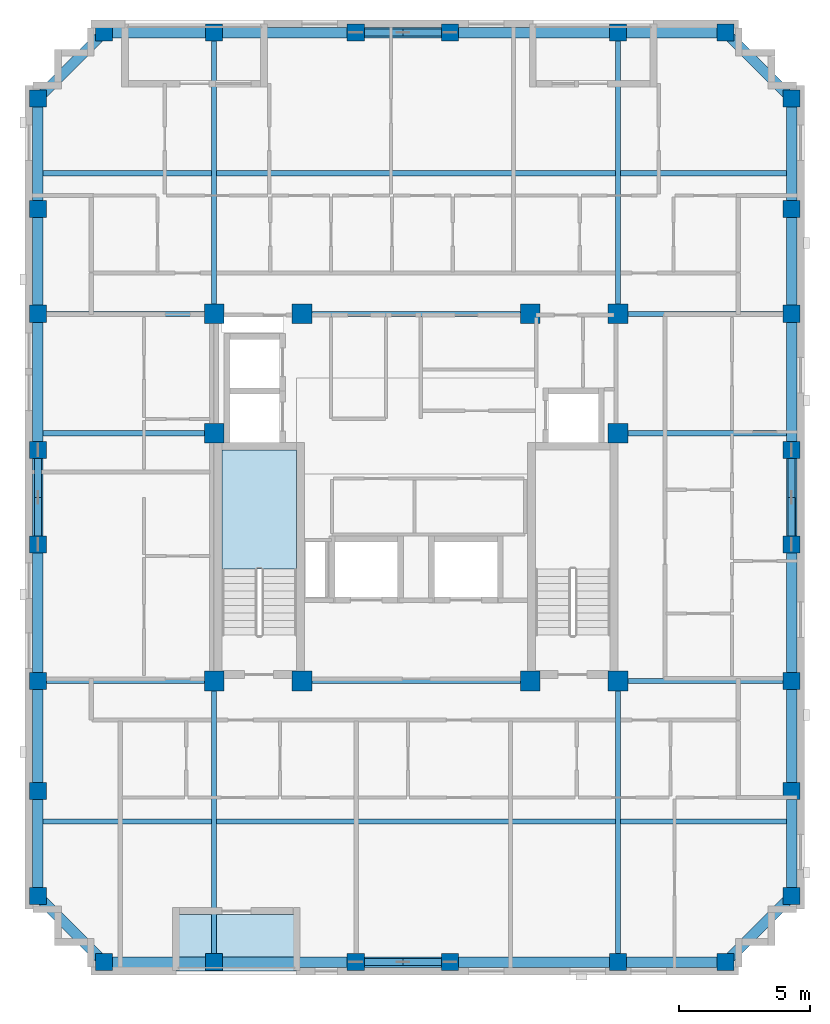
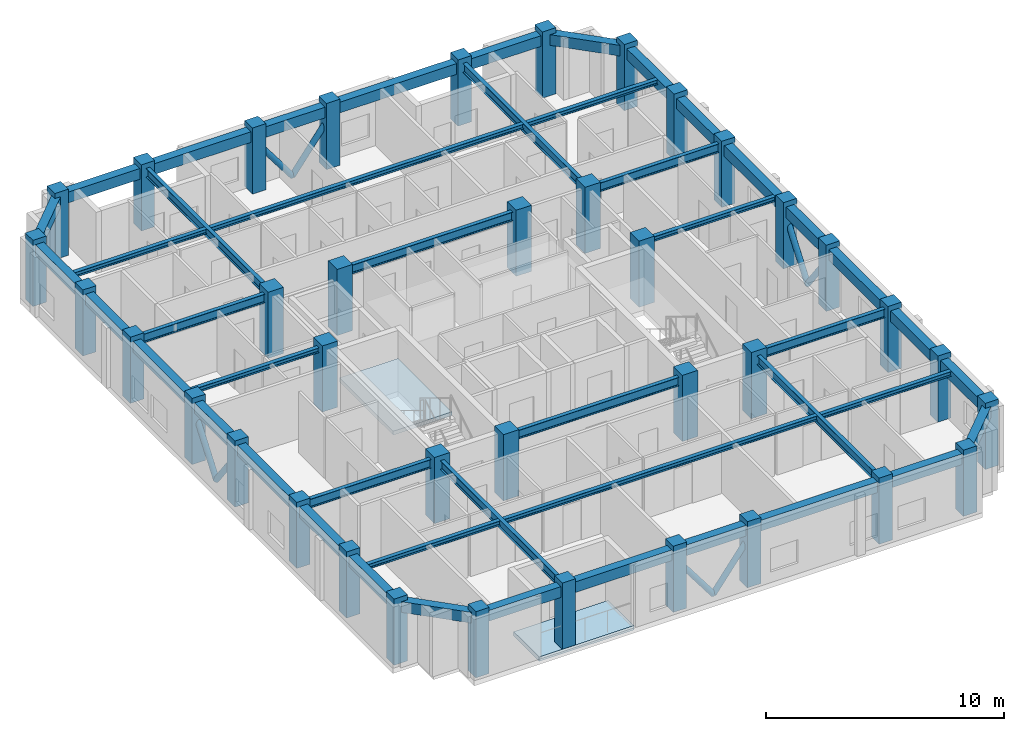
# One storey, part 1 of 11: 46 beams, 38 columns, 8 members, 2 slabs, 1 element without a shape of its own.
"""IFC4 building model written with IfcOpenShell, lengths in metres."""

import ifcopenshell
import ifcopenshell.guid

model = None  # the IFC model being written
_history = None  # IfcOwnerHistory: only IFC2X3 demands one
_inside = {}  # id of a spatial element -> (the spatial element, [elements in it])
_under = {}  # id of a project, library or spatial element -> (it, [spatial elements below it])
_declared = {}  # id of a project -> (the project, [libraries it declares])
_typed = {}  # id of a type object -> (the type object, [elements of that type])
_made_of = {}  # id of a material, layer set ... -> (it, [elements and type objects made of it])


def new_model(schema):
    """Start an empty IFC model of exactly this schema.

    Asked for "IFC4X3", IfcOpenShell would pick the latest addendum, in which some entities
    have other attributes; the version numbers below select the first issue.
    IFC2X3 requires an IfcOwnerHistory on every rooted entity: one is made here for all.
    """
    global model, _history
    if schema == "IFC4X3":
        model = ifcopenshell.file(schema_version=(4, 3, 0, 0))
    else:
        model = ifcopenshell.file(schema=schema)
    _inside.clear()
    _under.clear()
    _declared.clear()
    _typed.clear()
    _made_of.clear()
    _history = None
    if model.schema == "IFC2X3":
        org = make("IfcOrganization", Name="unknown")
        user = make(
            "IfcPersonAndOrganization",
            ThePerson=make("IfcPerson", FamilyName="unknown"),
            TheOrganization=org,
        )
        app = make(
            "IfcApplication",
            ApplicationDeveloper=org,
            Version="unknown",
            ApplicationFullName="unknown",
            ApplicationIdentifier="unknown",
        )
        _history = make(
            "IfcOwnerHistory",
            OwningUser=user,
            OwningApplication=app,
            ChangeAction="ADDED",
            CreationDate=0,
        )
    return model


def make(cls, **values):
    """One entity of the class cls with the attributes given. An attribute that is None is left unset."""
    return model.create_entity(
        cls, **{name: value for name, value in values.items() if value is not None}
    )


def rooted(cls, **values):
    """An entity with a GlobalId (a new one), such as an element, a storey or a relation."""
    return make(cls, GlobalId=ifcopenshell.guid.new(), OwnerHistory=_history, **values)


def si_unit(unit_type, name, prefix=None):
    """IfcSIUnit, for example si_unit("LENGTHUNIT", "METRE", prefix="MILLI")."""
    return make("IfcSIUnit", UnitType=unit_type, Prefix=prefix, Name=name)


def derived_unit(unit_type, elements):
    """IfcDerivedUnit: a product of units, each with its exponent."""
    return make(
        "IfcDerivedUnit",
        Elements=[
            make("IfcDerivedUnitElement", Unit=unit, Exponent=power)
            for unit, power in elements
        ],
        UnitType=unit_type,
    )


def assignment(units):
    """IfcUnitAssignment: the units of a project."""
    return None if units is None else make("IfcUnitAssignment", Units=units)


def point(xyz):
    """IfcCartesianPoint."""
    return None if xyz is None else make("IfcCartesianPoint", Coordinates=xyz)


def direction(xyz):
    """IfcDirection."""
    return None if xyz is None else make("IfcDirection", DirectionRatios=xyz)


def frame(location, z_axis=None, x_axis=None):
    """IfcAxis2Placement3D, a coordinate frame: its origin and axes. An axis left out is left unset."""
    return make(
        "IfcAxis2Placement3D",
        Location=point(location),
        Axis=direction(z_axis),
        RefDirection=direction(x_axis),
    )


def frame_2d(location, x_axis=None):
    """IfcAxis2Placement2D, a coordinate frame in the plane: its origin and x axis."""
    return make(
        "IfcAxis2Placement2D", Location=point(location), RefDirection=direction(x_axis)
    )


def origin():
    """The frame at (0, 0, 0) with its axes left unset."""
    return frame((0.0, 0.0, 0.0))


def origin_2d():
    """The frame at (0, 0) in the plane with its x axis left unset."""
    return frame_2d((0.0, 0.0))


def place(relative_to, where):
    """IfcLocalPlacement: puts the frame where relative to a parent placement (None: the world)."""
    return make(
        "IfcLocalPlacement", PlacementRelTo=relative_to, RelativePlacement=where
    )


def context(
    kind, dimensions, precision=None, world=None, true_north=None, identifier=None
):
    """IfcGeometricRepresentationContext, for example the 3D "Model" context."""
    return make(
        "IfcGeometricRepresentationContext",
        ContextIdentifier=identifier,
        ContextType=kind,
        CoordinateSpaceDimension=dimensions,
        Precision=precision,
        WorldCoordinateSystem=world,
        TrueNorth=true_north,
    )


def subcontext(parent, identifier, kind, view, scale=None):
    """IfcGeometricRepresentationSubContext, for example "Body" below "Model"."""
    return make(
        "IfcGeometricRepresentationSubContext",
        ContextIdentifier=identifier,
        ContextType=kind,
        ParentContext=parent,
        TargetScale=scale,
        TargetView=view,
    )


def project(units=None, contexts=None):
    """IfcProject with its units and contexts."""
    return rooted(
        "IfcProject",
        Name="project",
        RepresentationContexts=contexts,
        UnitsInContext=assignment(units),
    )


def spatial(cls, under=None, at=None, **own):
    """A site, building, storey or space (cls), placed at a placement, below another one or the project."""
    s = rooted(cls, ObjectPlacement=at, **own)
    if under is not None:
        _under.setdefault(under.id(), (under, []))[1].append(s)
    return s


def polyline(points):
    """IfcPolyline through the points."""
    return make("IfcPolyline", Points=[point(p) for p in points])


def profile(cls, at=None, kind="AREA", **sizes):
    """A parametric profile (cls). Its sizes go by their IFC names, for example OverallWidth=200.0."""
    return make(cls, ProfileType=kind, Position=at, **sizes)


def rectangle(**sizes):
    """IfcRectangleProfileDef."""
    return profile("IfcRectangleProfileDef", **sizes)


def hollow_circle(**sizes):
    """IfcCircleHollowProfileDef."""
    return profile("IfcCircleHollowProfileDef", **sizes)


def i_section(**sizes):
    """IfcIShapeProfileDef."""
    return profile("IfcIShapeProfileDef", **sizes)


def outline(outer, holes=None, kind="AREA"):
    """IfcArbitraryClosedProfileDef: a profile drawn as a closed curve; with holes, ...WithVoids."""
    if holes is None:
        return make("IfcArbitraryClosedProfileDef", ProfileType=kind, OuterCurve=outer)
    return make(
        "IfcArbitraryProfileDefWithVoids",
        ProfileType=kind,
        OuterCurve=outer,
        InnerCurves=holes,
    )


def extrude(swept, where, along, depth):
    """IfcExtrudedAreaSolid: the profile swept, set in the frame where, extruded along a direction by depth."""
    return make(
        "IfcExtrudedAreaSolid",
        SweptArea=swept,
        Position=where,
        ExtrudedDirection=direction(along),
        Depth=depth,
    )


def shape(context_of_items, identifier, shape_type, items):
    """IfcShapeRepresentation: the items that make up one representation, for example the "Body"."""
    return make(
        "IfcShapeRepresentation",
        ContextOfItems=context_of_items,
        RepresentationIdentifier=identifier,
        RepresentationType=shape_type,
        Items=items,
    )


def material(Name=None, Category=None):
    """IfcMaterial."""
    return make("IfcMaterial", Name=Name, Category=Category)


def layer(
    of_material, thickness, ventilated=None, Name=None, Category=None, Priority=None
):
    """IfcMaterialLayer: one layer of a wall or slab, of a material (None: an air gap)."""
    return make(
        "IfcMaterialLayer",
        Material=of_material,
        LayerThickness=thickness,
        IsVentilated=ventilated,
        Name=Name,
        Category=Category,
        Priority=Priority,
    )


def layer_set(layers, Name=None):
    """IfcMaterialLayerSet."""
    return make("IfcMaterialLayerSet", MaterialLayers=layers, LayerSetName=Name)


def material_profile(
    of_material, cross_section, Name=None, Category=None, Priority=None
):
    """IfcMaterialProfile: a cross section and its material."""
    return make(
        "IfcMaterialProfile",
        Name=Name,
        Material=of_material,
        Profile=cross_section,
        Priority=Priority,
        Category=Category,
    )


def profile_set(profiles, Name=None, composite=None):
    """IfcMaterialProfileSet."""
    return make(
        "IfcMaterialProfileSet",
        Name=Name,
        MaterialProfiles=profiles,
        CompositeProfile=composite,
    )


def made_of(thing, what):
    """Note that an element or type object is made of a material, layer set ...; save() writes the relation."""
    if what is not None:
        _made_of.setdefault(what.id(), (what, []))[1].append(thing)
    return thing


def type_object(cls, material=None, **own):
    """A type object (cls), such as IfcWallType, which elements share."""
    return made_of(rooted(cls, **own), material)


def element(
    cls,
    number,
    at=None,
    inside=None,
    cuts=None,
    type_object=None,
    material=None,
    context=None,
    identifier="Body",
    shape_type=None,
    held_by="IfcProductDefinitionShape",
    body=None,
    shapes=None,
    **own,
):
    """One element of the class cls, such as IfcWall. Its Tag is "e" and its number.

    at: its placement. inside: the storey or other place that contains it. cuts: it is an
    opening in that element (IfcRelVoidsElement). A single representation is given by context,
    identifier, shape_type and body (its items); several are given by shapes. held_by: the class
    of the entity that holds the representations. save() writes the other relations.
    """
    e = rooted(cls, Tag="e%d" % number, ObjectPlacement=at, **own)
    if body is not None:
        shapes = [shape(context, identifier, shape_type, body)]
    if shapes is not None:
        e.Representation = make(held_by, Representations=shapes)
    if inside is not None:
        _inside.setdefault(inside.id(), (inside, []))[1].append(e)
    if cuts is not None:
        rooted(
            "IfcRelVoidsElement", RelatingBuildingElement=cuts, RelatedOpeningElement=e
        )
    if type_object is not None:
        _typed.setdefault(type_object.id(), (type_object, []))[1].append(e)
    return made_of(e, material)


def aggregate(whole, parts):
    """IfcRelAggregates: a whole, such as a stair, and the parts it consists of."""
    return rooted("IfcRelAggregates", RelatingObject=whole, RelatedObjects=parts)


def save(model, path):
    """Write the relations noted so far, then the file.

    IfcRelAggregates (storeys below a building ...), IfcRelContainedInSpatialStructure (elements
    in a storey), IfcRelDefinesByType, IfcRelAssociatesMaterial and IfcRelDeclares: one each for
    every whole, place, type object, material and project.
    """
    for whole, parts in _under.values():
        aggregate(whole, parts)
    for where, things in _inside.values():
        rooted(
            "IfcRelContainedInSpatialStructure",
            RelatedElements=things,
            RelatingStructure=where,
        )
    for kind, things in _typed.values():
        rooted("IfcRelDefinesByType", RelatedObjects=things, RelatingType=kind)
    for what, things in _made_of.values():
        rooted("IfcRelAssociatesMaterial", RelatedObjects=things, RelatingMaterial=what)
    for by, libraries in _declared.values():
        rooted("IfcRelDeclares", RelatingContext=by, RelatedDefinitions=libraries)
    model.write(path)


model = new_model("IFC4")

# Units and contexts
model_context = context("Model", 3, precision=1e-05, world=origin(), true_north=direction((0.0, 1.0)))
body_context = subcontext(model_context, "Body", "Model", "MODEL_VIEW")
ifc_project = project(units=[si_unit("LENGTHUNIT", "METRE"), si_unit("AREAUNIT", "SQUARE_METRE"), si_unit("VOLUMEUNIT", "CUBIC_METRE"), si_unit("PLANEANGLEUNIT", "RADIAN"), si_unit("MASSUNIT", "GRAM", prefix="KILO"), derived_unit("THERMALTRANSMITTANCEUNIT", [(si_unit("MASSUNIT", "GRAM", prefix="KILO"), 1), (si_unit("TIMEUNIT", "SECOND"), -3), (si_unit("THERMODYNAMICTEMPERATUREUNIT", "KELVIN"), -1)])], contexts=[model_context])

# Site, building, storey
site_placement = place(None, origin())
site = spatial("IfcSite", under=ifc_project, at=site_placement, CompositionType="ELEMENT")
building_placement = place(site_placement, origin())
building = spatial("IfcBuilding", under=site, at=building_placement, Name="Korrvale Station Residences", CompositionType="ELEMENT")
storey_placement = place(building_placement, frame((0.0, 0.0, 251.300048828125)))
storey = spatial("IfcBuildingStorey", under=building, at=storey_placement, Name="L73", CompositionType="ELEMENT", Elevation=251.300048828125)

# Columns
ifc_material_1 = material(Name="Concrete C50/60", Category="concrete")
ifc_material_profile_1 = material_profile(ifc_material_1, rectangle(XDim=0.64990234375, YDim=0.64990234375, at=origin_2d()), Name="RC650x650")
ifc_profile_set_1 = profile_set([ifc_material_profile_1], Name="Concrete C50/60")
column_type_1 = type_object("IfcColumnType", Name="COL-C-RC650x650-C5060", PredefinedType="COLUMN", material=ifc_profile_set_1)
for number, where, z_axis, x_axis, name in (
    (1, (13.60009765625, 4.280029296875, 0.0), (0.0, 0.0, 1.0), (1.0, 0.0, 0.0), "L73 Bundled-Tube South Column 01"),
    (2, (17.800048828125, 4.280029296875, 0.0), (0.0, 0.0, 1.0), (1.0, 0.0, 0.0), "L73 Bundled-Tube South Column 02"),
    (3, (23.199951171875, 4.280029296875, 0.0), (0.0, 0.0, 1.0), (1.0, 0.0, 0.0), "L73 Bundled-Tube South Column 03"),
    (4, (26.800048828125, 4.280029296875, 0.0), (0.0, 0.0, 1.0), (1.0, 0.0, 0.0), "L73 Bundled-Tube South Column 04"),
    (5, (33.199951171875, 4.280029296875, 0.0), (0.0, 0.0, 1.0), (1.0, 0.0, 0.0), "L73 Bundled-Tube South Column 05"),
    (6, (37.300048828125, 4.280029296875, 0.0), (0.0, 0.0, 1.0), (1.0, 0.0, 0.0), "L73 Bundled-Tube South Column 06"),
    (7, (13.60009765625, 39.719970703125, 0.0), (0.0, 0.0, 1.0), (1.0, 0.0, 0.0), "L73 Bundled-Tube North Column 07"),
    (8, (17.800048828125, 39.719970703125, 0.0), (0.0, 0.0, 1.0), (1.0, 0.0, 0.0), "L73 Bundled-Tube North Column 08"),
    (9, (23.199951171875, 39.719970703125, 0.0), (0.0, 0.0, 1.0), (1.0, 0.0, 0.0), "L73 Bundled-Tube North Column 09"),
    (10, (26.800048828125, 39.719970703125, 0.0), (0.0, 0.0, 1.0), (1.0, 0.0, 0.0), "L73 Bundled-Tube North Column 10"),
    (11, (33.199951171875, 39.719970703125, 0.0), (0.0, 0.0, 1.0), (1.0, 0.0, 0.0), "L73 Bundled-Tube North Column 11"),
    (12, (37.300048828125, 39.719970703125, 0.0), (0.0, 0.0, 1.0), (1.0, 0.0, 0.0), "L73 Bundled-Tube North Column 12"),
    (13, (11.080078125, 6.800048828125, 0.0), (0.0, 0.0, 1.0), (1.0, 0.0, 0.0), "L73 Bundled-Tube West Column 13"),
    (14, (11.080078125, 10.800048828125, 0.0), (0.0, 0.0, 1.0), (1.0, 0.0, 0.0), "L73 Bundled-Tube West Column 14"),
    (15, (11.080078125, 15.0, 0.0), (0.0, 0.0, 1.0), (1.0, 0.0, 0.0), "L73 Bundled-Tube West Column 15"),
    (16, (11.080078125, 20.199951171875, 0.0), (0.0, 0.0, 1.0), (1.0, 0.0, 0.0), "L73 Bundled-Tube West Column 16"),
    (17, (11.080078125, 23.800048828125, 0.0), (0.0, 0.0, 1.0), (1.0, 0.0, 0.0), "L73 Bundled-Tube West Column 17"),
    (18, (11.080078125, 29.0, 0.0), (0.0, 0.0, 1.0), (1.0, 0.0, 0.0), "L73 Bundled-Tube West Column 18"),
    (19, (11.080078125, 33.0, 0.0), (0.0, 0.0, 1.0), (1.0, 0.0, 0.0), "L73 Bundled-Tube West Column 19"),
    (20, (11.080078125, 37.199951171875, 0.0), (0.0, 0.0, 1.0), (1.0, 0.0, 0.0), "L73 Bundled-Tube West Column 20"),
    (21, (39.820068359375, 6.800048828125, 0.0), (0.0, 0.0, 1.0), (1.0, 0.0, 0.0), "L73 Bundled-Tube East Column 21"),
    (22, (39.820068359375, 10.800048828125, 0.0), (0.0, 0.0, 1.0), (1.0, 0.0, 0.0), "L73 Bundled-Tube East Column 22"),
    (23, (39.820068359375, 15.0, 0.0), (0.0, 0.0, 1.0), (1.0, 0.0, 0.0), "L73 Bundled-Tube East Column 23"),
    (24, (39.820068359375, 20.199951171875, 0.0), (0.0, 0.0, 1.0), (1.0, 0.0, 0.0), "L73 Bundled-Tube East Column 24"),
    (25, (39.820068359375, 23.800048828125, 0.0), (0.0, 0.0, 1.0), (1.0, 0.0, 0.0), "L73 Bundled-Tube East Column 25"),
    (26, (39.820068359375, 29.0, 0.0), (0.0, 0.0, 1.0), (1.0, 0.0, 0.0), "L73 Bundled-Tube East Column 26"),
    (27, (39.820068359375, 33.0, 0.0), (0.0, 0.0, 1.0), (1.0, 0.0, 0.0), "L73 Bundled-Tube East Column 27"),
    (28, (39.820068359375, 37.199951171875, 0.0), (0.0, 0.0, 1.0), (1.0, 0.0, 0.0), "L73 Bundled-Tube East Column 28"),
):
    element("IfcColumn", number, at=place(storey_placement, frame(where, z_axis=z_axis, x_axis=x_axis)), inside=storey, type_object=column_type_1, Name=name, PredefinedType="COLUMN", context=body_context, shape_type="SweptSolid", body=[
        extrude(rectangle(XDim=0.64990234375, YDim=0.64990234375, at=origin_2d()), origin(), (0.0, 0.0, 1.0), 3.39990234375),
    ])
ifc_material_profile_2 = material_profile(ifc_material_1, rectangle(XDim=0.75, YDim=0.75, at=origin_2d()), Name="RC750x750")
ifc_profile_set_2 = profile_set([ifc_material_profile_2], Name="Concrete C50/60")
column_type_2 = type_object("IfcColumnType", Name="COL-C-RC750x750-C5060", PredefinedType="COLUMN", material=ifc_profile_set_2)
for number, where, z_axis, x_axis, name in (
    (29, (17.800048828125, 15.0, 0.0), (0.0, 0.0, 1.0), (1.0, 0.0, 0.0), "L73 Core Column 01"),
    (30, (21.14990234375, 15.0, 0.0), (0.0, 0.0, 1.0), (1.0, 0.0, 0.0), "L73 Core Column 02"),
    (31, (29.85009765625, 15.0, 0.0), (0.0, 0.0, 1.0), (1.0, 0.0, 0.0), "L73 Core Column 03"),
    (32, (33.199951171875, 15.0, 0.0), (0.0, 0.0, 1.0), (1.0, 0.0, 0.0), "L73 Core Column 04"),
    (33, (17.800048828125, 29.0, 0.0), (0.0, 0.0, 1.0), (1.0, 0.0, 0.0), "L73 Core Column 05"),
    (34, (21.14990234375, 29.0, 0.0), (0.0, 0.0, 1.0), (1.0, 0.0, 0.0), "L73 Core Column 06"),
    (35, (29.85009765625, 29.0, 0.0), (0.0, 0.0, 1.0), (1.0, 0.0, 0.0), "L73 Core Column 07"),
    (36, (33.199951171875, 29.0, 0.0), (0.0, 0.0, 1.0), (1.0, 0.0, 0.0), "L73 Core Column 08"),
    (37, (17.800048828125, 24.449951171875, 0.0), (0.0, 0.0, 1.0), (1.0, 0.0, 0.0), "L73 Core Column 09"),
    (38, (33.199951171875, 24.449951171875, 0.0), (0.0, 0.0, 1.0), (1.0, 0.0, 0.0), "L73 Core Column 10"),
):
    element("IfcColumn", number, at=place(storey_placement, frame(where, z_axis=z_axis, x_axis=x_axis)), inside=storey, type_object=column_type_2, Name=name, PredefinedType="COLUMN", context=body_context, shape_type="SweptSolid", body=[
        extrude(rectangle(XDim=0.75, YDim=0.75, at=origin_2d()), origin(), (0.0, 0.0, 1.0), 3.39990234375),
    ])

# Beams
ifc_material_2 = material(Name="Steel S355", Category="steel")
ifc_material_profile_3 = material_profile(ifc_material_2, i_section(OverallWidth=0.18994140625, OverallDepth=0.45703125, WebThickness=0.009033203125, FlangeThickness=0.014404296875, FilletRadius=0.01611328125, at=origin_2d()), Name="W460x74")
ifc_profile_set_3 = profile_set([ifc_material_profile_3], Name="Steel S355")
beam_type_1 = type_object("IfcBeamType", Name="BM-BM-W460x74-S355", PredefinedType="BEAM", material=ifc_profile_set_3)
for number, where, z_axis, x_axis, name in (
    (39, (17.800048828125, 4.280029296875, 2.911376953125), (0.0, 1.0, 0.0), (-1.0, 0.0, 0.0), "L73 Bundled-Tube Web Girder 01"),
    (40, (33.199951171875, 4.280029296875, 2.911376953125), (0.0, 1.0, 0.0), (-1.0, 0.0, 0.0), "L73 Bundled-Tube Web Girder 02"),
    (41, (17.800048828125, 29.0, 2.911376953125), (0.0, 1.0, 0.0), (-1.0, 0.0, 0.0), "L73 Bundled-Tube Web Girder 03"),
    (42, (33.199951171875, 29.0, 2.911376953125), (0.0, 1.0, 0.0), (-1.0, 0.0, 0.0), "L73 Bundled-Tube Web Girder 04"),
):
    element("IfcBeam", number, at=place(storey_placement, frame(where, z_axis=z_axis, x_axis=x_axis)), inside=storey, type_object=beam_type_1, Name=name, PredefinedType="BEAM", context=body_context, shape_type="SweptSolid", body=[
        extrude(i_section(OverallWidth=0.18994140625, OverallDepth=0.45703125, WebThickness=0.009033203125, FlangeThickness=0.014404296875, FilletRadius=0.01611328125, at=origin_2d()), origin(), (0.0, 0.0, 1.0), 10.719970703125),
    ])
beam_1_placement = place(storey_placement, frame((11.080078125, 15.0, 2.911376953125), z_axis=(1.0, 0.0, 0.0), x_axis=(0.0, 1.0, 0.0)))
element("IfcBeam", 43, at=beam_1_placement, inside=storey, type_object=beam_type_1, Name="L73 Bundled-Tube Web Girder 05", PredefinedType="BEAM", context=body_context, shape_type="SweptSolid", body=[
    extrude(i_section(OverallWidth=0.18994140625, OverallDepth=0.45703125, WebThickness=0.009033203125, FlangeThickness=0.014404296875, FilletRadius=0.01611328125, at=origin_2d()), origin(), (0.0, 0.0, 1.0), 6.719970703125),
])
beam_2_placement = place(storey_placement, frame((33.199951171875, 15.0, 2.911376953125), z_axis=(1.0, 0.0, 0.0), x_axis=(0.0, 1.0, 0.0)))
element("IfcBeam", 44, at=beam_2_placement, inside=storey, type_object=beam_type_1, Name="L73 Bundled-Tube Web Girder 06", PredefinedType="BEAM", context=body_context, shape_type="SweptSolid", body=[
    extrude(i_section(OverallWidth=0.18994140625, OverallDepth=0.45703125, WebThickness=0.009033203125, FlangeThickness=0.014404296875, FilletRadius=0.01611328125, at=origin_2d()), origin(), (0.0, 0.0, 1.0), 6.6201171875),
])
beam_3_placement = place(storey_placement, frame((11.080078125, 29.0, 2.911376953125), z_axis=(1.0, 0.0, 0.0), x_axis=(0.0, 1.0, 0.0)))
element("IfcBeam", 45, at=beam_3_placement, inside=storey, type_object=beam_type_1, Name="L73 Bundled-Tube Web Girder 07", PredefinedType="BEAM", context=body_context, shape_type="SweptSolid", body=[
    extrude(i_section(OverallWidth=0.18994140625, OverallDepth=0.45703125, WebThickness=0.009033203125, FlangeThickness=0.014404296875, FilletRadius=0.01611328125, at=origin_2d()), origin(), (0.0, 0.0, 1.0), 6.719970703125),
])
beam_4_placement = place(storey_placement, frame((33.199951171875, 29.0, 2.911376953125), z_axis=(1.0, 0.0, 0.0), x_axis=(0.0, 1.0, 0.0)))
element("IfcBeam", 46, at=beam_4_placement, inside=storey, type_object=beam_type_1, Name="L73 Bundled-Tube Web Girder 08", PredefinedType="BEAM", context=body_context, shape_type="SweptSolid", body=[
    extrude(i_section(OverallWidth=0.18994140625, OverallDepth=0.45703125, WebThickness=0.009033203125, FlangeThickness=0.014404296875, FilletRadius=0.01611328125, at=origin_2d()), origin(), (0.0, 0.0, 1.0), 6.6201171875),
])
for number, where, z_axis, x_axis, name in (
    (47, (21.14990234375, 15.0, 2.911376953125), (1.0, 0.0, 0.0), (0.0, 1.0, 0.0), "L73 Bundled-Tube Web Girder 09"),
    (48, (21.14990234375, 29.0, 2.911376953125), (1.0, 0.0, 0.0), (0.0, 1.0, 0.0), "L73 Bundled-Tube Web Girder 10"),
):
    element("IfcBeam", number, at=place(storey_placement, frame(where, z_axis=z_axis, x_axis=x_axis)), inside=storey, type_object=beam_type_1, Name=name, PredefinedType="BEAM", context=body_context, shape_type="SweptSolid", body=[
        extrude(i_section(OverallWidth=0.18994140625, OverallDepth=0.45703125, WebThickness=0.009033203125, FlangeThickness=0.014404296875, FilletRadius=0.01611328125, at=origin_2d()), origin(), (0.0, 0.0, 1.0), 8.7001953125),
    ])
ifc_material_profile_4 = material_profile(ifc_material_2, i_section(OverallWidth=0.201904296875, OverallDepth=0.2470703125, WebThickness=0.00732421875, FlangeThickness=0.010986328125, FilletRadius=0.012939453125, at=origin_2d()), Name="W250x49")
ifc_profile_set_4 = profile_set([ifc_material_profile_4], Name="Steel S355")
beam_type_2 = type_object("IfcBeamType", Name="BM-JST-W250x49-S355", PredefinedType="JOIST", material=ifc_profile_set_4)
beam_5_placement = place(storey_placement, frame((11.280029296875, 9.639892578125, 3.016357421875), z_axis=(1.0, 0.0, 0.0), x_axis=(0.0, 1.0, 0.0)))
element("IfcBeam", 49, at=beam_5_placement, inside=storey, type_object=beam_type_2, Name="L73 Floor Framing Joist 01", PredefinedType="JOIST", context=body_context, shape_type="SweptSolid", body=[
    extrude(i_section(OverallWidth=0.201904296875, OverallDepth=0.2470703125, WebThickness=0.00732421875, FlangeThickness=0.010986328125, FilletRadius=0.012939453125, at=origin_2d()), origin(), (0.0, 0.0, 1.0), 6.425048828125),
])
beam_6_placement = place(storey_placement, frame((17.89501953125, 9.639892578125, 3.016357421875), z_axis=(1.0, 0.0, 0.0), x_axis=(0.0, 1.0, 0.0)))
element("IfcBeam", 50, at=beam_6_placement, inside=storey, type_object=beam_type_2, Name="L73 Floor Framing Joist 02", PredefinedType="JOIST", context=body_context, shape_type="SweptSolid", body=[
    extrude(i_section(OverallWidth=0.201904296875, OverallDepth=0.2470703125, WebThickness=0.00732421875, FlangeThickness=0.010986328125, FilletRadius=0.012939453125, at=origin_2d()), origin(), (0.0, 0.0, 1.0), 15.2099609375),
])
beam_7_placement = place(storey_placement, frame((33.294921875, 9.639892578125, 3.016357421875), z_axis=(1.0, 0.0, 0.0), x_axis=(0.0, 1.0, 0.0)))
element("IfcBeam", 51, at=beam_7_placement, inside=storey, type_object=beam_type_2, Name="L73 Floor Framing Joist 03", PredefinedType="JOIST", context=body_context, shape_type="SweptSolid", body=[
    extrude(i_section(OverallWidth=0.201904296875, OverallDepth=0.2470703125, WebThickness=0.00732421875, FlangeThickness=0.010986328125, FilletRadius=0.012939453125, at=origin_2d()), origin(), (0.0, 0.0, 1.0), 6.3251953125),
])
beam_8_placement = place(storey_placement, frame((11.280029296875, 34.360107421875, 3.016357421875), z_axis=(1.0, 0.0, 0.0), x_axis=(0.0, 1.0, 0.0)))
element("IfcBeam", 52, at=beam_8_placement, inside=storey, type_object=beam_type_2, Name="L73 Floor Framing Joist 04", PredefinedType="JOIST", context=body_context, shape_type="SweptSolid", body=[
    extrude(i_section(OverallWidth=0.201904296875, OverallDepth=0.2470703125, WebThickness=0.00732421875, FlangeThickness=0.010986328125, FilletRadius=0.012939453125, at=origin_2d()), origin(), (0.0, 0.0, 1.0), 6.425048828125),
])
beam_9_placement = place(storey_placement, frame((17.89501953125, 34.360107421875, 3.016357421875), z_axis=(1.0, 0.0, 0.0), x_axis=(0.0, 1.0, 0.0)))
element("IfcBeam", 53, at=beam_9_placement, inside=storey, type_object=beam_type_2, Name="L73 Floor Framing Joist 05", PredefinedType="JOIST", context=body_context, shape_type="SweptSolid", body=[
    extrude(i_section(OverallWidth=0.201904296875, OverallDepth=0.2470703125, WebThickness=0.00732421875, FlangeThickness=0.010986328125, FilletRadius=0.012939453125, at=origin_2d()), origin(), (0.0, 0.0, 1.0), 15.2099609375),
])
beam_10_placement = place(storey_placement, frame((33.294921875, 34.360107421875, 3.016357421875), z_axis=(1.0, 0.0, 0.0), x_axis=(0.0, 1.0, 0.0)))
element("IfcBeam", 54, at=beam_10_placement, inside=storey, type_object=beam_type_2, Name="L73 Floor Framing Joist 06", PredefinedType="JOIST", context=body_context, shape_type="SweptSolid", body=[
    extrude(i_section(OverallWidth=0.201904296875, OverallDepth=0.2470703125, WebThickness=0.00732421875, FlangeThickness=0.010986328125, FilletRadius=0.012939453125, at=origin_2d()), origin(), (0.0, 0.0, 1.0), 6.3251953125),
])
beam_11_placement = place(storey_placement, frame((33.199951171875, 24.449951171875, 3.016357421875), z_axis=(1.0, 0.0, 0.0), x_axis=(0.0, 1.0, 0.0)))
element("IfcBeam", 55, at=beam_11_placement, inside=storey, type_object=beam_type_2, Name="L73 Floor Framing Joist 07", PredefinedType="JOIST", context=body_context, shape_type="SweptSolid", body=[
    extrude(i_section(OverallWidth=0.201904296875, OverallDepth=0.2470703125, WebThickness=0.00732421875, FlangeThickness=0.010986328125, FilletRadius=0.012939453125, at=origin_2d()), origin(), (0.0, 0.0, 1.0), 6.420166015625),
])
beam_12_placement = place(storey_placement, frame((11.280029296875, 24.449951171875, 3.016357421875), z_axis=(1.0, 0.0, 0.0), x_axis=(0.0, 1.0, 0.0)))
element("IfcBeam", 56, at=beam_12_placement, inside=storey, type_object=beam_type_2, Name="L73 Floor Framing Joist 08", PredefinedType="JOIST", context=body_context, shape_type="SweptSolid", body=[
    extrude(i_section(OverallWidth=0.201904296875, OverallDepth=0.2470703125, WebThickness=0.00732421875, FlangeThickness=0.010986328125, FilletRadius=0.012939453125, at=origin_2d()), origin(), (0.0, 0.0, 1.0), 6.52001953125),
])
ifc_material_profile_5 = material_profile(ifc_material_1, rectangle(XDim=0.39990234375, YDim=0.550048828125, at=origin_2d()), Name="RCB400x550")
ifc_profile_set_5 = profile_set([ifc_material_profile_5], Name="Concrete C50/60")
beam_type_3 = type_object("IfcBeamType", Name="BM-SPB-RCB400x550-C5060", PredefinedType="SPANDREL", material=ifc_profile_set_5)
beam_13_placement = place(storey_placement, frame((13.60009765625, 4.280029296875, 2.864990234375), z_axis=(1.0, 0.0, 0.0), x_axis=(0.0, 1.0, 0.0)))
element("IfcBeam", 57, at=beam_13_placement, inside=storey, type_object=beam_type_3, Name="L73 South Tube Spandrel 01", PredefinedType="SPANDREL", context=body_context, shape_type="SweptSolid", body=[
    extrude(rectangle(XDim=0.39990234375, YDim=0.550048828125, at=origin_2d()), origin(), (0.0, 0.0, 1.0), 4.199951171875),
])
beam_14_placement = place(storey_placement, frame((17.800048828125, 4.280029296875, 2.864990234375), z_axis=(1.0, 0.0, 0.0), x_axis=(0.0, 1.0, 0.0)))
element("IfcBeam", 58, at=beam_14_placement, inside=storey, type_object=beam_type_3, Name="L73 South Tube Spandrel 02", PredefinedType="SPANDREL", context=body_context, shape_type="SweptSolid", body=[
    extrude(rectangle(XDim=0.39990234375, YDim=0.550048828125, at=origin_2d()), origin(), (0.0, 0.0, 1.0), 5.39990234375),
])
beam_15_placement = place(storey_placement, frame((23.199951171875, 4.280029296875, 2.864990234375), z_axis=(1.0, 0.0, 0.0), x_axis=(0.0, 1.0, 0.0)))
element("IfcBeam", 59, at=beam_15_placement, inside=storey, type_object=beam_type_3, Name="L73 South Tube Spandrel 03", PredefinedType="SPANDREL", context=body_context, shape_type="SweptSolid", body=[
    extrude(rectangle(XDim=0.39990234375, YDim=0.550048828125, at=origin_2d()), origin(), (0.0, 0.0, 1.0), 3.60009765625),
])
beam_16_placement = place(storey_placement, frame((26.800048828125, 4.280029296875, 2.864990234375), z_axis=(1.0, 0.0, 0.0), x_axis=(0.0, 1.0, 0.0)))
element("IfcBeam", 60, at=beam_16_placement, inside=storey, type_object=beam_type_3, Name="L73 South Tube Spandrel 04", PredefinedType="SPANDREL", context=body_context, shape_type="SweptSolid", body=[
    extrude(rectangle(XDim=0.39990234375, YDim=0.550048828125, at=origin_2d()), origin(), (0.0, 0.0, 1.0), 6.39990234375),
])
beam_17_placement = place(storey_placement, frame((33.199951171875, 4.280029296875, 2.864990234375), z_axis=(1.0, 0.0, 0.0), x_axis=(0.0, 1.0, 0.0)))
element("IfcBeam", 61, at=beam_17_placement, inside=storey, type_object=beam_type_3, Name="L73 South Tube Spandrel 05", PredefinedType="SPANDREL", context=body_context, shape_type="SweptSolid", body=[
    extrude(rectangle(XDim=0.39990234375, YDim=0.550048828125, at=origin_2d()), origin(), (0.0, 0.0, 1.0), 4.10009765625),
])
beam_18_placement = place(storey_placement, frame((13.60009765625, 39.719970703125, 2.864990234375), z_axis=(1.0, 0.0, 0.0), x_axis=(0.0, 1.0, 0.0)))
element("IfcBeam", 62, at=beam_18_placement, inside=storey, type_object=beam_type_3, Name="L73 North Tube Spandrel 06", PredefinedType="SPANDREL", context=body_context, shape_type="SweptSolid", body=[
    extrude(rectangle(XDim=0.39990234375, YDim=0.550048828125, at=origin_2d()), origin(), (0.0, 0.0, 1.0), 4.199951171875),
])
beam_19_placement = place(storey_placement, frame((17.800048828125, 39.719970703125, 2.864990234375), z_axis=(1.0, 0.0, 0.0), x_axis=(0.0, 1.0, 0.0)))
element("IfcBeam", 63, at=beam_19_placement, inside=storey, type_object=beam_type_3, Name="L73 North Tube Spandrel 07", PredefinedType="SPANDREL", context=body_context, shape_type="SweptSolid", body=[
    extrude(rectangle(XDim=0.39990234375, YDim=0.550048828125, at=origin_2d()), origin(), (0.0, 0.0, 1.0), 5.39990234375),
])
beam_20_placement = place(storey_placement, frame((23.199951171875, 39.719970703125, 2.864990234375), z_axis=(1.0, 0.0, 0.0), x_axis=(0.0, 1.0, 0.0)))
element("IfcBeam", 64, at=beam_20_placement, inside=storey, type_object=beam_type_3, Name="L73 North Tube Spandrel 08", PredefinedType="SPANDREL", context=body_context, shape_type="SweptSolid", body=[
    extrude(rectangle(XDim=0.39990234375, YDim=0.550048828125, at=origin_2d()), origin(), (0.0, 0.0, 1.0), 3.60009765625),
])
beam_21_placement = place(storey_placement, frame((26.800048828125, 39.719970703125, 2.864990234375), z_axis=(1.0, 0.0, 0.0), x_axis=(0.0, 1.0, 0.0)))
element("IfcBeam", 65, at=beam_21_placement, inside=storey, type_object=beam_type_3, Name="L73 North Tube Spandrel 09", PredefinedType="SPANDREL", context=body_context, shape_type="SweptSolid", body=[
    extrude(rectangle(XDim=0.39990234375, YDim=0.550048828125, at=origin_2d()), origin(), (0.0, 0.0, 1.0), 6.39990234375),
])
beam_22_placement = place(storey_placement, frame((33.199951171875, 39.719970703125, 2.864990234375), z_axis=(1.0, 0.0, 0.0), x_axis=(0.0, 1.0, 0.0)))
element("IfcBeam", 66, at=beam_22_placement, inside=storey, type_object=beam_type_3, Name="L73 North Tube Spandrel 10", PredefinedType="SPANDREL", context=body_context, shape_type="SweptSolid", body=[
    extrude(rectangle(XDim=0.39990234375, YDim=0.550048828125, at=origin_2d()), origin(), (0.0, 0.0, 1.0), 4.10009765625),
])
beam_23_placement = place(storey_placement, frame((11.080078125, 6.800048828125, 2.864990234375), z_axis=(0.0, 1.0, 0.0), x_axis=(-1.0, 0.0, 0.0)))
element("IfcBeam", 67, at=beam_23_placement, inside=storey, type_object=beam_type_3, Name="L73 West Tube Spandrel 11", PredefinedType="SPANDREL", context=body_context, shape_type="SweptSolid", body=[
    extrude(rectangle(XDim=0.39990234375, YDim=0.550048828125, at=origin_2d()), origin(), (0.0, 0.0, 1.0), 4.0),
])
beam_24_placement = place(storey_placement, frame((11.080078125, 10.800048828125, 2.864990234375), z_axis=(0.0, 1.0, 0.0), x_axis=(-1.0, 0.0, 0.0)))
element("IfcBeam", 68, at=beam_24_placement, inside=storey, type_object=beam_type_3, Name="L73 West Tube Spandrel 12", PredefinedType="SPANDREL", context=body_context, shape_type="SweptSolid", body=[
    extrude(rectangle(XDim=0.39990234375, YDim=0.550048828125, at=origin_2d()), origin(), (0.0, 0.0, 1.0), 4.199951171875),
])
beam_25_placement = place(storey_placement, frame((11.080078125, 15.0, 2.864990234375), z_axis=(0.0, 1.0, 0.0), x_axis=(-1.0, 0.0, 0.0)))
element("IfcBeam", 69, at=beam_25_placement, inside=storey, type_object=beam_type_3, Name="L73 West Tube Spandrel 13", PredefinedType="SPANDREL", context=body_context, shape_type="SweptSolid", body=[
    extrude(rectangle(XDim=0.39990234375, YDim=0.550048828125, at=origin_2d()), origin(), (0.0, 0.0, 1.0), 5.199951171875),
])
beam_26_placement = place(storey_placement, frame((11.080078125, 20.199951171875, 2.864990234375), z_axis=(0.0, 1.0, 0.0), x_axis=(-1.0, 0.0, 0.0)))
element("IfcBeam", 70, at=beam_26_placement, inside=storey, type_object=beam_type_3, Name="L73 West Tube Spandrel 14", PredefinedType="SPANDREL", context=body_context, shape_type="SweptSolid", body=[
    extrude(rectangle(XDim=0.39990234375, YDim=0.550048828125, at=origin_2d()), origin(), (0.0, 0.0, 1.0), 3.60009765625),
])
beam_27_placement = place(storey_placement, frame((11.080078125, 23.800048828125, 2.864990234375), z_axis=(0.0, 1.0, 0.0), x_axis=(-1.0, 0.0, 0.0)))
element("IfcBeam", 71, at=beam_27_placement, inside=storey, type_object=beam_type_3, Name="L73 West Tube Spandrel 15", PredefinedType="SPANDREL", context=body_context, shape_type="SweptSolid", body=[
    extrude(rectangle(XDim=0.39990234375, YDim=0.550048828125, at=origin_2d()), origin(), (0.0, 0.0, 1.0), 5.199951171875),
])
beam_28_placement = place(storey_placement, frame((11.080078125, 29.0, 2.864990234375), z_axis=(0.0, 1.0, 0.0), x_axis=(-1.0, 0.0, 0.0)))
element("IfcBeam", 72, at=beam_28_placement, inside=storey, type_object=beam_type_3, Name="L73 West Tube Spandrel 16", PredefinedType="SPANDREL", context=body_context, shape_type="SweptSolid", body=[
    extrude(rectangle(XDim=0.39990234375, YDim=0.550048828125, at=origin_2d()), origin(), (0.0, 0.0, 1.0), 4.0),
])
beam_29_placement = place(storey_placement, frame((11.080078125, 33.0, 2.864990234375), z_axis=(0.0, 1.0, 0.0), x_axis=(-1.0, 0.0, 0.0)))
element("IfcBeam", 73, at=beam_29_placement, inside=storey, type_object=beam_type_3, Name="L73 West Tube Spandrel 17", PredefinedType="SPANDREL", context=body_context, shape_type="SweptSolid", body=[
    extrude(rectangle(XDim=0.39990234375, YDim=0.550048828125, at=origin_2d()), origin(), (0.0, 0.0, 1.0), 4.199951171875),
])
beam_30_placement = place(storey_placement, frame((39.820068359375, 6.800048828125, 2.864990234375), z_axis=(0.0, 1.0, 0.0), x_axis=(-1.0, 0.0, 0.0)))
element("IfcBeam", 74, at=beam_30_placement, inside=storey, type_object=beam_type_3, Name="L73 East Tube Spandrel 18", PredefinedType="SPANDREL", context=body_context, shape_type="SweptSolid", body=[
    extrude(rectangle(XDim=0.39990234375, YDim=0.550048828125, at=origin_2d()), origin(), (0.0, 0.0, 1.0), 4.0),
])
beam_31_placement = place(storey_placement, frame((39.820068359375, 10.800048828125, 2.864990234375), z_axis=(0.0, 1.0, 0.0), x_axis=(-1.0, 0.0, 0.0)))
element("IfcBeam", 75, at=beam_31_placement, inside=storey, type_object=beam_type_3, Name="L73 East Tube Spandrel 19", PredefinedType="SPANDREL", context=body_context, shape_type="SweptSolid", body=[
    extrude(rectangle(XDim=0.39990234375, YDim=0.550048828125, at=origin_2d()), origin(), (0.0, 0.0, 1.0), 4.199951171875),
])
beam_32_placement = place(storey_placement, frame((39.820068359375, 15.0, 2.864990234375), z_axis=(0.0, 1.0, 0.0), x_axis=(-1.0, 0.0, 0.0)))
element("IfcBeam", 76, at=beam_32_placement, inside=storey, type_object=beam_type_3, Name="L73 East Tube Spandrel 20", PredefinedType="SPANDREL", context=body_context, shape_type="SweptSolid", body=[
    extrude(rectangle(XDim=0.39990234375, YDim=0.550048828125, at=origin_2d()), origin(), (0.0, 0.0, 1.0), 5.199951171875),
])
beam_33_placement = place(storey_placement, frame((39.820068359375, 20.199951171875, 2.864990234375), z_axis=(0.0, 1.0, 0.0), x_axis=(-1.0, 0.0, 0.0)))
element("IfcBeam", 77, at=beam_33_placement, inside=storey, type_object=beam_type_3, Name="L73 East Tube Spandrel 21", PredefinedType="SPANDREL", context=body_context, shape_type="SweptSolid", body=[
    extrude(rectangle(XDim=0.39990234375, YDim=0.550048828125, at=origin_2d()), origin(), (0.0, 0.0, 1.0), 3.60009765625),
])
beam_34_placement = place(storey_placement, frame((39.820068359375, 23.800048828125, 2.864990234375), z_axis=(0.0, 1.0, 0.0), x_axis=(-1.0, 0.0, 0.0)))
element("IfcBeam", 78, at=beam_34_placement, inside=storey, type_object=beam_type_3, Name="L73 East Tube Spandrel 22", PredefinedType="SPANDREL", context=body_context, shape_type="SweptSolid", body=[
    extrude(rectangle(XDim=0.39990234375, YDim=0.550048828125, at=origin_2d()), origin(), (0.0, 0.0, 1.0), 5.199951171875),
])
beam_35_placement = place(storey_placement, frame((39.820068359375, 29.0, 2.864990234375), z_axis=(0.0, 1.0, 0.0), x_axis=(-1.0, 0.0, 0.0)))
element("IfcBeam", 79, at=beam_35_placement, inside=storey, type_object=beam_type_3, Name="L73 East Tube Spandrel 23", PredefinedType="SPANDREL", context=body_context, shape_type="SweptSolid", body=[
    extrude(rectangle(XDim=0.39990234375, YDim=0.550048828125, at=origin_2d()), origin(), (0.0, 0.0, 1.0), 4.0),
])
beam_36_placement = place(storey_placement, frame((39.820068359375, 33.0, 2.864990234375), z_axis=(0.0, 1.0, 0.0), x_axis=(-1.0, 0.0, 0.0)))
element("IfcBeam", 80, at=beam_36_placement, inside=storey, type_object=beam_type_3, Name="L73 East Tube Spandrel 24", PredefinedType="SPANDREL", context=body_context, shape_type="SweptSolid", body=[
    extrude(rectangle(XDim=0.39990234375, YDim=0.550048828125, at=origin_2d()), origin(), (0.0, 0.0, 1.0), 4.199951171875),
])
for number, where, z_axis, x_axis, name in (
    (81, (13.60009765625, 4.280029296875, 2.864990234375), (-0.707106781187, 0.707106781187, 0.0), (-0.707106781187, -0.707106781187, 0.0), "L73 Serrated Corner Spandrel 25"),
    (82, (37.300048828125, 4.280029296875, 2.864990234375), (0.707106781187, 0.707106781187, 0.0), (-0.707106781187, 0.707106781187, 0.0), "L73 Serrated Corner Spandrel 26"),
    (83, (37.300048828125, 39.719970703125, 2.864990234375), (0.707106781187, -0.707106781187, 0.0), (0.707106781187, 0.707106781187, 0.0), "L73 Serrated Corner Spandrel 27"),
    (84, (13.60009765625, 39.719970703125, 2.864990234375), (-0.707106781187, -0.707106781187, 0.0), (0.707106781187, -0.707106781187, 0.0), "L73 Serrated Corner Spandrel 28"),
):
    element("IfcBeam", number, at=place(storey_placement, frame(where, z_axis=z_axis, x_axis=x_axis)), inside=storey, type_object=beam_type_3, Name=name, PredefinedType="SPANDREL", context=body_context, shape_type="SweptSolid", body=[
        extrude(rectangle(XDim=0.39990234375, YDim=0.550048828125, at=origin_2d()), origin(), (0.0, 0.0, 1.0), 3.56396484375),
    ])

# Members
ifc_material_profile_6 = material_profile(ifc_material_2, hollow_circle(Radius=0.136474609375, WallThickness=0.015869140625, at=origin_2d()), Name="HSS273x16")
ifc_profile_set_6 = profile_set([ifc_material_profile_6], Name="Steel S355")
member_type = type_object("IfcMemberType", Name="MBR-BR-HSS273x16", PredefinedType="BRACE", material=ifc_profile_set_6)
for number, where, z_axis, x_axis, name in (
    (85, (25.0, 4.280029296875, 0.02001953125), (-0.601630735092, 0.0, 0.798774347731), (0.0, -1.0, 0.0), "L73 S Perimeter Tube Wind Brace 1"),
    (86, (25.0, 4.280029296875, 0.02001953125), (0.601630735092, 0.0, 0.798774347731), (0.0, 1.0, 0.0), "L73 S Perimeter Tube Wind Brace 2"),
    (87, (25.0, 39.719970703125, 0.02001953125), (-0.601630735092, 0.0, 0.798774347731), (0.0, -1.0, 0.0), "L73 N Perimeter Tube Wind Brace 1"),
    (88, (25.0, 39.719970703125, 0.02001953125), (0.601630735092, 0.0, 0.798774347731), (0.0, 1.0, 0.0), "L73 N Perimeter Tube Wind Brace 2"),
    (89, (11.080078125, 22.0, 0.02001953125), (0.0, -0.601630735092, 0.798774347731), (1.0, 0.0, 0.0), "L73 W Perimeter Tube Wind Brace 1"),
    (90, (11.080078125, 22.0, 0.02001953125), (0.0, 0.601630735092, 0.798774347731), (-1.0, 0.0, 0.0), "L73 W Perimeter Tube Wind Brace 2"),
    (91, (39.820068359375, 22.0, 0.02001953125), (0.0, -0.601630735092, 0.798774347731), (1.0, 0.0, 0.0), "L73 E Perimeter Tube Wind Brace 1"),
    (92, (39.820068359375, 22.0, 0.02001953125), (0.0, 0.601630735092, 0.798774347731), (-1.0, 0.0, 0.0), "L73 E Perimeter Tube Wind Brace 2"),
):
    element("IfcMember", number, at=place(storey_placement, frame(where, z_axis=z_axis, x_axis=x_axis)), inside=storey, type_object=member_type, Name=name, PredefinedType="BRACE", context=body_context, shape_type="SweptSolid", body=[
        extrude(hollow_circle(Radius=0.136474609375, WallThickness=0.015869140625, at=origin_2d()), origin(), (0.0, 0.0, 1.0), 2.991943359375),
    ])

# Slab
ifc_layer_1 = layer(ifc_material_1, 0.219970703125, Name="Concrete C50/60")
ifc_layer_set_1 = layer_set([ifc_layer_1], Name="Concrete C50/60")
slab_type_1 = type_object("IfcSlabType", Name="SLB-BAL-220", PredefinedType="FLOOR", material=ifc_layer_set_1)
slab_1_placement = place(storey_placement, frame((0.0, 0.0, -0.219970703125)))
element("IfcSlab", 93, at=slab_1_placement, inside=storey, type_object=slab_type_1, Name="L73 Recessed Loggia Balcony Slab BAL-L73-S1", PredefinedType="FLOOR", context=body_context, shape_type="SweptSolid", body=[
    extrude(outline(polyline([(16.35009765625, 3.949951171875), (20.949951171875, 3.949951171875), (20.949951171875, 6.10009765625), (16.35009765625, 6.10009765625), (16.35009765625, 3.949951171875)])), origin(), (0.0, 0.0, 1.0), 0.219970703125),
])

# Stair, slab
stair_type = type_object("IfcStairType", Name="STR-DL-1350-20R-1700", PredefinedType="HALF_TURN_STAIR", material=ifc_material_1)
stair_placement = place(storey_placement, origin())
stair = element("IfcStair", 94, at=stair_placement, inside=storey, type_object=stair_type, Name="L73 Exit Stair 1", PredefinedType="HALF_TURN_STAIR")
ifc_layer_2 = layer(ifc_material_1, 0.199951171875, Name="Concrete C50/60")
ifc_layer_set_2 = layer_set([ifc_layer_2], Name="Concrete C50/60")
slab_type_2 = type_object("IfcSlabType", Name="SLB-LND-200", PredefinedType="LANDING", material=ifc_layer_set_2)
slab_2_placement = place(storey_placement, frame((0.0, 0.0, 1.5)))
slab_2 = element("IfcSlab", 95, at=slab_2_placement, type_object=slab_type_2, Name="ST-1 landing 1", PredefinedType="LANDING", context=body_context, shape_type="SweptSolid", body=[
    extrude(outline(polyline([(20.949951171875, 19.27001953125), (20.949951171875, 23.800048828125), (18.10009765625, 23.800048828125), (18.10009765625, 19.27001953125), (20.949951171875, 19.27001953125)])), origin(), (0.0, 0.0, 1.0), 0.199951171875),
])
aggregate(stair, [slab_2])

save(model, "model.ifc")
